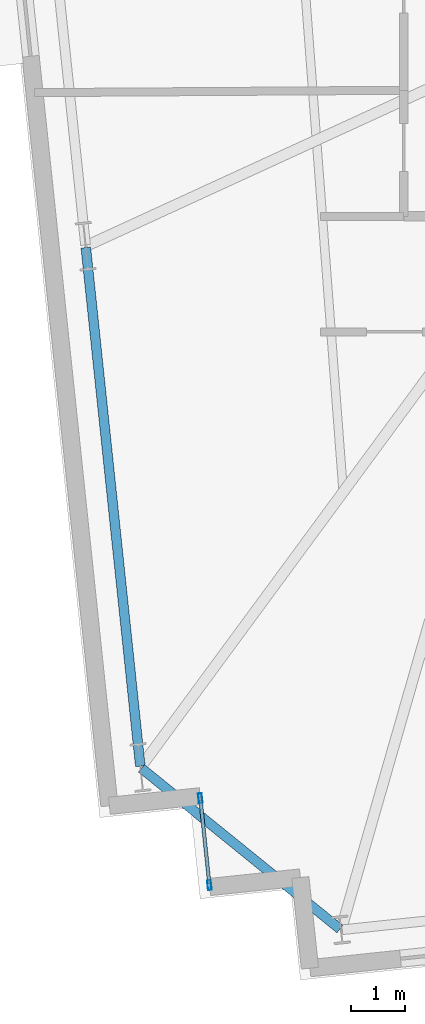
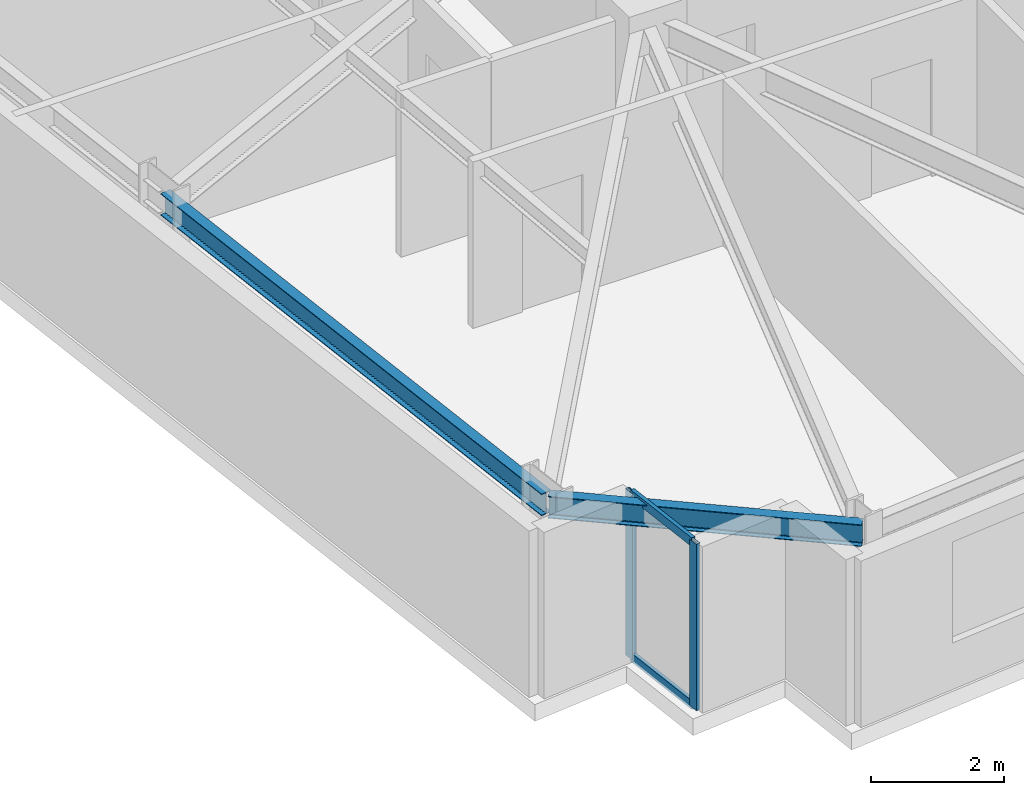
# One storey, part 4 of 20: 4 members, 2 beams, 1 element without a shape of its own.
"""IFC4 building model written with IfcOpenShell, lengths in metres."""

from ifc_helpers import new_model, si_unit, direction, frame, origin, origin_2d, place, context, subcontext, project, spatial, hollow_rectangle, i_section, extrude, material, layer, layer_set, material_profile, profile_set, type_object, element, aggregate, save


model = new_model("IFC4")

# Units and contexts
model_context = context("Model", 3, precision=1e-05, world=origin(), true_north=direction((0.0, 1.0)))
body_context = subcontext(model_context, "Body", "Model", "MODEL_VIEW")
ifc_project = project(units=[si_unit("LENGTHUNIT", "METRE"), si_unit("AREAUNIT", "SQUARE_METRE"), si_unit("VOLUMEUNIT", "CUBIC_METRE"), si_unit("PLANEANGLEUNIT", "RADIAN"), si_unit("MASSUNIT", "GRAM", prefix="KILO")], contexts=[model_context])

# Site, building, storey
site_placement = place(None, origin())
site = spatial("IfcSite", under=ifc_project, at=site_placement, CompositionType="ELEMENT")
building_placement = place(site_placement, origin())
building = spatial("IfcBuilding", under=site, at=building_placement, Name="Qobustan Lattice House", CompositionType="ELEMENT")
storey_placement = place(building_placement, frame((0.0, 0.0, 89.050048828125)))
storey = spatial("IfcBuildingStorey", under=building, at=storey_placement, Name="L24", CompositionType="ELEMENT", Elevation=89.050048828125)

# Beams
ifc_material_1 = material(Name="Steel S355", Category="steel")
ifc_material_profile_1 = material_profile(ifc_material_1, i_section(OverallWidth=0.179931640625, OverallDepth=0.39990234375, WebThickness=0.008544921875, FlangeThickness=0.013427734375, FilletRadius=0.02099609375, at=origin_2d()), Name="IPE400")
ifc_profile_set_1 = profile_set([ifc_material_profile_1], Name="Steel S355")
beam_type = type_object("IfcBeamType", Name="BM-SPD-IPE400", PredefinedType="SPANDREL", material=ifc_profile_set_1)
beam_1_placement = place(storey_placement, frame((-27.37451171875, -6.180908203125, 2.844970703125), z_axis=(0.104527826257, -0.994521962321, 0.0), x_axis=(0.994521962321, 0.104527826257, 0.0)))
element("IfcBeam", 1, at=beam_1_placement, inside=storey, type_object=beam_type, Name="L24 perimeter spandrel W3-W4", PredefinedType="SPANDREL", context=body_context, shape_type="SweptSolid", body=[
    extrude(i_section(OverallWidth=0.179931640625, OverallDepth=0.39990234375, WebThickness=0.008544921875, FlangeThickness=0.013427734375, FilletRadius=0.02099609375, at=origin_2d()), origin(), (0.0, 0.0, 1.0), 9.71630859375),
])
beam_2_placement = place(storey_placement, frame((-26.3369140625, -15.884765625, 2.844970703125), z_axis=(0.777140911545, -0.629326627121, 0.0), x_axis=(0.629326627121, 0.777140911545, 0.0)))
element("IfcBeam", 2, at=beam_2_placement, inside=storey, type_object=beam_type, Name="L24 perimeter spandrel W4-S1", PredefinedType="SPANDREL", context=body_context, shape_type="SweptSolid", body=[
    extrude(i_section(OverallWidth=0.179931640625, OverallDepth=0.39990234375, WebThickness=0.008544921875, FlangeThickness=0.013427734375, FilletRadius=0.02099609375, at=origin_2d()), origin(), (0.0, 0.0, 1.0), 4.758544921875),
])

# Curtain wall, members
ifc_material_2 = material(Name="Anodised aluminium and low-E glazing", Category="aluminium")
ifc_layer = layer(ifc_material_2, 0.219970703125)
ifc_layer_set = layer_set([ifc_layer], Name="Anodised aluminium and low-E glazing")
curtain_wall_type = type_object("IfcCurtainWallType", Name="CW-FAC-01", PredefinedType="USERDEFINED", material=ifc_layer_set)
curtain_wall_placement = place(storey_placement, origin())
curtain_wall = element("IfcCurtainWall", 3, at=curtain_wall_placement, inside=storey, type_object=curtain_wall_type, Name="L24 serrated corner faceted glazing 3", ObjectType="CURTAIN WALL", PredefinedType="USERDEFINED")
ifc_material_3 = material(Name="Anodised aluminium EN AW-6063 T6", Category="aluminium")
ifc_material_profile_2 = material_profile(ifc_material_3, hollow_rectangle(XDim=0.070068359375, YDim=0.179931640625, WallThickness=0.00439453125, at=origin_2d()), Name="CWM-180x70")
ifc_profile_set_2 = profile_set([ifc_material_profile_2], Name="Anodised aluminium EN AW-6063 T6")
member_type_1 = type_object("IfcMemberType", Name="CWM-STD-180", PredefinedType="MULLION", material=ifc_profile_set_2)
member_1_placement = place(storey_placement, frame((-25.070068359375, -18.0615234375, 0.0), z_axis=(0.0, 0.0, 1.0), x_axis=(-0.994521878892, -0.104528620025, 0.0)))
member_1 = element("IfcMember", 4, at=member_1_placement, type_object=member_type_1, Name="CW-F1 mullion 1", PredefinedType="MULLION", context=body_context, shape_type="SweptSolid", body=[
    extrude(hollow_rectangle(XDim=0.070068359375, YDim=0.179931640625, WallThickness=0.00439453125, at=origin_2d()), origin(), (0.0, 0.0, 1.0), 3.044921875),
])
member_2_placement = place(storey_placement, frame((-25.240234375, -16.4404296875, 0.0), z_axis=(0.0, 0.0, 1.0), x_axis=(-0.994521878892, -0.104528620025, 0.0)))
member_2 = element("IfcMember", 5, at=member_2_placement, type_object=member_type_1, Name="CW-F1 mullion 2", PredefinedType="MULLION", context=body_context, shape_type="SweptSolid", body=[
    extrude(hollow_rectangle(XDim=0.070068359375, YDim=0.179931640625, WallThickness=0.00439453125, at=origin_2d()), origin(), (0.0, 0.0, 1.0), 3.044921875),
])
ifc_material_4 = material(Name="Anodised aluminium EN AW-6063 T6", Category="aluminium")
ifc_material_profile_3 = material_profile(ifc_material_4, hollow_rectangle(XDim=0.06494140625, YDim=0.159912109375, WallThickness=0.00390625, at=origin_2d()), Name="CWT-160x65")
ifc_profile_set_3 = profile_set([ifc_material_profile_3], Name="Anodised aluminium EN AW-6063 T6")
member_type_2 = type_object("IfcMemberType", Name="CWT-HOR-160", PredefinedType="USERDEFINED", material=ifc_profile_set_3)
member_3_placement = place(storey_placement, frame((-25.07373046875, -18.02685546875, 0.032470703125), z_axis=(-0.104383362594, 0.994537135362, 0.0), x_axis=(-0.994537135362, -0.104383362594, 0.0)))
member_3 = element("IfcMember", 6, at=member_3_placement, type_object=member_type_2, Name="CW-F1 transom 1.1", ObjectType="TRANSOM", PredefinedType="USERDEFINED", context=body_context, shape_type="SweptSolid", body=[
    extrude(hollow_rectangle(XDim=0.06494140625, YDim=0.159912109375, WallThickness=0.00390625, at=origin_2d()), origin(), (0.0, 0.0, 1.0), 1.56005859375),
])
member_4_placement = place(storey_placement, frame((-25.07373046875, -18.02685546875, 3.012451171875), z_axis=(-0.104383362594, 0.994537135362, 0.0), x_axis=(-0.994537135362, -0.104383362594, 0.0)))
member_4 = element("IfcMember", 7, at=member_4_placement, type_object=member_type_2, Name="CW-F1 transom 1.2", ObjectType="TRANSOM", PredefinedType="USERDEFINED", context=body_context, shape_type="SweptSolid", body=[
    extrude(hollow_rectangle(XDim=0.06494140625, YDim=0.159912109375, WallThickness=0.00390625, at=origin_2d()), origin(), (0.0, 0.0, 1.0), 1.56005859375),
])
aggregate(curtain_wall, [member_1, member_2, member_3, member_4])

save(model, "model.ifc")
